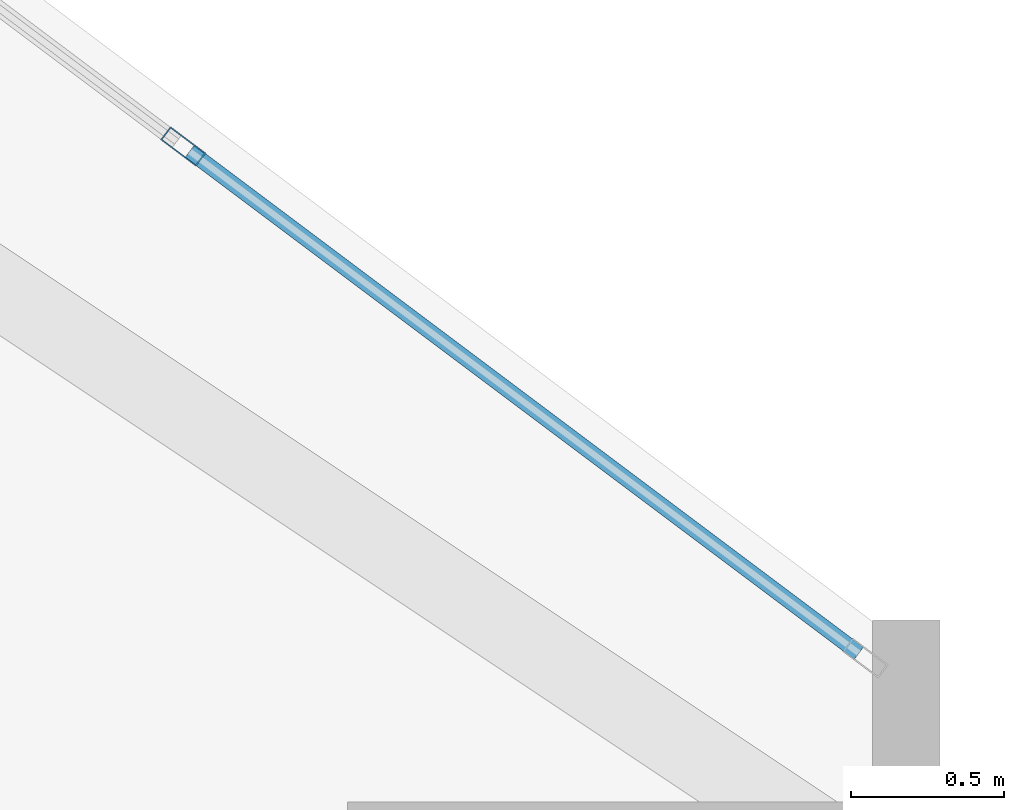
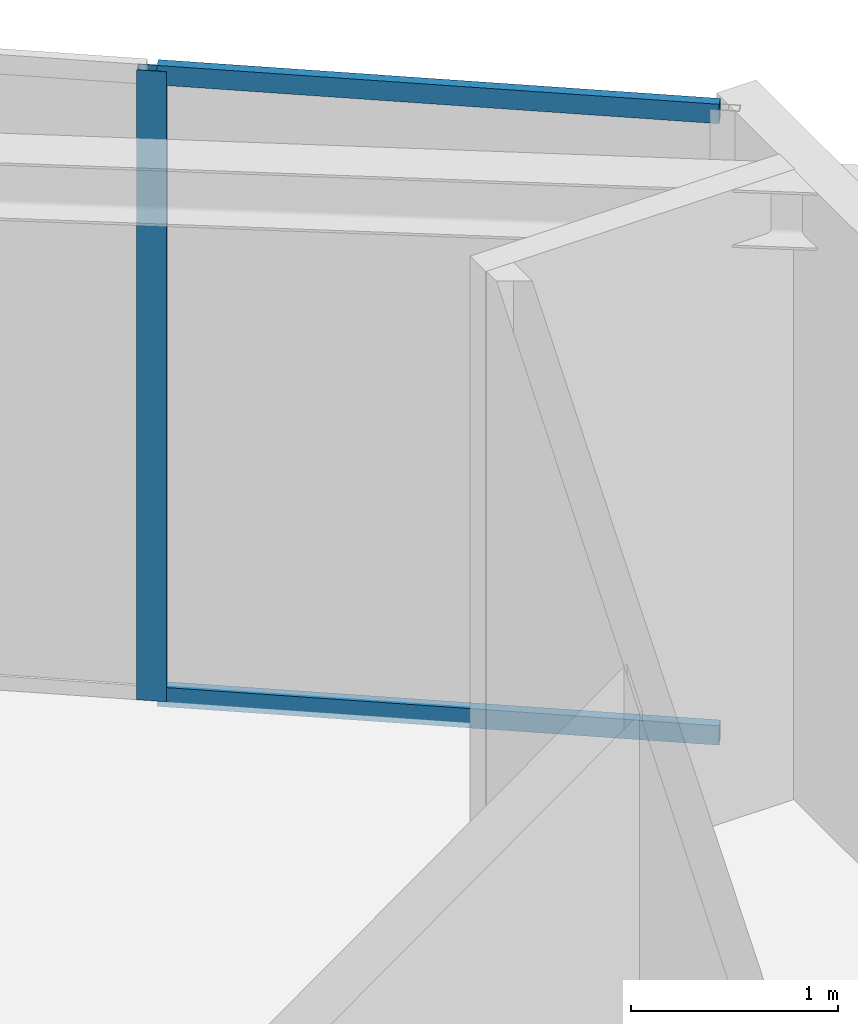
# One storey, part 2 of 12: 3 members, 1 element without a shape of its own.
"""IFC4 building model written with IfcOpenShell, lengths in metres."""

from ifc_helpers import new_model, si_unit, direction, frame, origin, origin_2d, place, context, subcontext, project, spatial, hollow_rectangle, extrude, material, layer, layer_set, material_profile, profile_set, type_object, element, aggregate, save


model = new_model("IFC4")

# Units and contexts
model_context = context("Model", 3, precision=1e-05, world=origin(), true_north=direction((0.0, 1.0)))
body_context = subcontext(model_context, "Body", "Model", "MODEL_VIEW")
ifc_project = project(units=[si_unit("LENGTHUNIT", "METRE"), si_unit("AREAUNIT", "SQUARE_METRE"), si_unit("VOLUMEUNIT", "CUBIC_METRE"), si_unit("PLANEANGLEUNIT", "RADIAN"), si_unit("MASSUNIT", "GRAM", prefix="KILO")], contexts=[model_context])

# Site, building, storey
site_placement = place(None, origin())
site = spatial("IfcSite", under=ifc_project, at=site_placement, CompositionType="ELEMENT")
building_placement = place(site_placement, origin())
building = spatial("IfcBuilding", under=site, at=building_placement, Name="Haolan Belvedere Tower", CompositionType="ELEMENT")
storey_placement = place(building_placement, frame((0.0, 0.0, 282.199951171875)))
storey = spatial("IfcBuildingStorey", under=building, at=storey_placement, Name="L71", CompositionType="ELEMENT", Elevation=282.199951171875)

# Curtain wall, members
ifc_material_1 = material(Name="Anodised champagne-silver aluminium 6063-T6 and Low-E glass", Category="aluminium")
ifc_layer = layer(ifc_material_1, 0.14501953125, Name="Anodised champagne-silver aluminium 6063-T6 and Low-E glass")
ifc_layer_set = layer_set([ifc_layer], Name="Anodised champagne-silver aluminium 6063-T6 and Low-E glass")
curtain_wall_type = type_object("IfcCurtainWallType", Name="CW-SYS-05", PredefinedType="NOTDEFINED", material=ifc_layer_set)
curtain_wall_placement = place(storey_placement, origin())
curtain_wall = element("IfcCurtainWall", 1, at=curtain_wall_placement, inside=storey, type_object=curtain_wall_type, Name="L71 CW-SYS-05 ribbon curtain wall 8.1", PredefinedType="NOTDEFINED")
ifc_material_2 = material(Name="Anodised aluminium 6063-T6", Category="aluminium")
ifc_material_profile_1 = material_profile(ifc_material_2, hollow_rectangle(XDim=0.053955078125, YDim=0.14501953125, WallThickness=0.00390625, at=origin_2d()), Name="Anodised aluminium 6063-T6")
ifc_profile_set_1 = profile_set([ifc_material_profile_1], Name="Anodised aluminium 6063-T6")
member_type_1 = type_object("IfcMemberType", Name="CW-SYS-05-MUL", PredefinedType="MULLION", material=ifc_profile_set_1)
member_1_placement = place(storey_placement, frame((47.9228515625, 49.720458984375, 0.0), z_axis=(0.0, 0.0, 1.0), x_axis=(-0.600002837806, -0.799997871638, 0.0)))
member_1 = element("IfcMember", 2, at=member_1_placement, type_object=member_type_1, Name="CW-05 mullion 2", PredefinedType="MULLION", context=body_context, shape_type="SweptSolid", body=[
    extrude(hollow_rectangle(XDim=0.053955078125, YDim=0.14501953125, WallThickness=0.00390625, at=origin_2d()), origin(), (0.0, 0.0, 1.0), 3.719970703125),
])
ifc_material_profile_2 = material_profile(ifc_material_2, hollow_rectangle(XDim=0.050048828125, YDim=0.114990234375, WallThickness=0.00390625, at=origin_2d()), Name="Anodised aluminium 6063-T6")
ifc_profile_set_2 = profile_set([ifc_material_profile_2], Name="Anodised aluminium 6063-T6")
member_type_2 = type_object("IfcMemberType", Name="CW-SYS-05-TRN", PredefinedType="USERDEFINED", material=ifc_profile_set_2)
member_2_placement = place(storey_placement, frame((50.134765625, 48.061279296875, 0.025146484375), z_axis=(-0.799957200433, 0.60005706185, 0.0), x_axis=(-0.60005706185, -0.799957200433, 0.0)))
member_2 = element("IfcMember", 3, at=member_2_placement, type_object=member_type_2, Name="CW-05 transom 1.1", ObjectType="TRANSOM", PredefinedType="USERDEFINED", context=body_context, shape_type="SweptSolid", body=[
    extrude(hollow_rectangle(XDim=0.050048828125, YDim=0.114990234375, WallThickness=0.00390625, at=origin_2d()), origin(), (0.0, 0.0, 1.0), 2.73828125),
])
member_3_placement = place(storey_placement, frame((50.134765625, 48.061279296875, 3.695068359375), z_axis=(-0.799957200433, 0.60005706185, 0.0), x_axis=(-0.60005706185, -0.799957200433, 0.0)))
member_3 = element("IfcMember", 4, at=member_3_placement, type_object=member_type_2, Name="CW-05 transom 1.2", ObjectType="TRANSOM", PredefinedType="USERDEFINED", context=body_context, shape_type="SweptSolid", body=[
    extrude(hollow_rectangle(XDim=0.050048828125, YDim=0.114990234375, WallThickness=0.00390625, at=origin_2d()), origin(), (0.0, 0.0, 1.0), 2.73828125),
])
aggregate(curtain_wall, [member_1, member_2, member_3])

save(model, "model.ifc")
